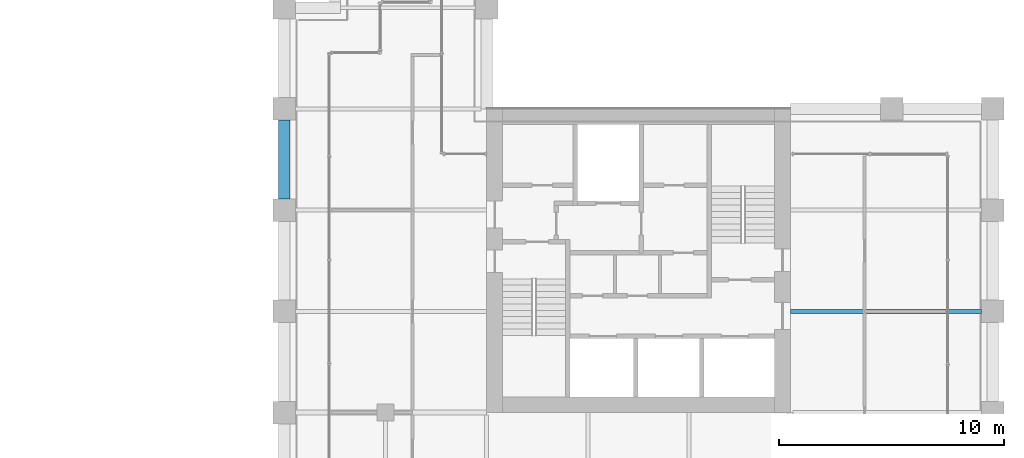
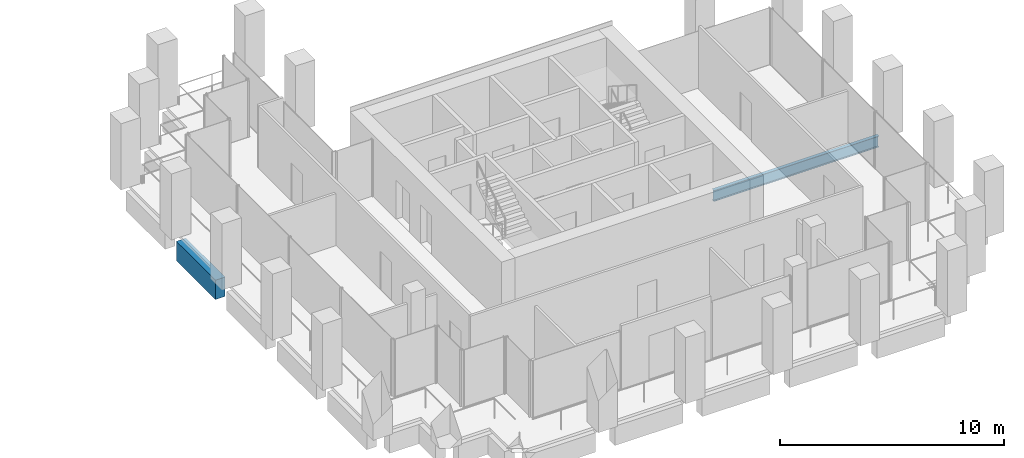
# One storey, part 33 of 46: 2 beams.
"""IFC4 building model written with IfcOpenShell, lengths in metres."""

from ifc_helpers import new_model, si_unit, direction, frame, origin, origin_2d, place, context, subcontext, project, spatial, rectangle, i_section, extrude, material, material_profile, profile_set, type_object, element, save


model = new_model("IFC4")

# Units and contexts
model_context = context("Model", 3, precision=1e-05, world=origin(), true_north=direction((0.0, 1.0)))
body_context = subcontext(model_context, "Body", "Model", "MODEL_VIEW")
ifc_project = project(units=[si_unit("LENGTHUNIT", "METRE"), si_unit("AREAUNIT", "SQUARE_METRE"), si_unit("VOLUMEUNIT", "CUBIC_METRE"), si_unit("PLANEANGLEUNIT", "RADIAN"), si_unit("MASSUNIT", "GRAM", prefix="KILO")], contexts=[model_context])

# Site, building, storey
site_placement = place(None, origin())
site = spatial("IfcSite", under=ifc_project, at=site_placement, CompositionType="ELEMENT")
building_placement = place(site_placement, origin())
building = spatial("IfcBuilding", under=site, at=building_placement, Name="Altepetl Exchange Towers", CompositionType="ELEMENT")
storey_placement = place(building_placement, frame((0.0, 0.0, 120.800048828125)))
storey = spatial("IfcBuildingStorey", under=building, at=storey_placement, Name="L29", CompositionType="ELEMENT", Elevation=120.800048828125)

# Beams
ifc_material_1 = material(Name="Steel S355", Category="steel")
ifc_material_profile_1 = material_profile(ifc_material_1, i_section(OverallWidth=0.177978515625, OverallDepth=0.59912109375, WebThickness=0.010009765625, FlangeThickness=0.0126953125, at=origin_2d()), Name="W24X55")
ifc_profile_set_1 = profile_set([ifc_material_profile_1], Name="Steel S355")
beam_type_1 = type_object("IfcBeamType", Name="Floor beam W24X55", PredefinedType="BEAM", material=ifc_profile_set_1)
beam_1_placement = place(storey_placement, frame((117.0, 40.5, -0.449462890625), z_axis=(1.0, 0.0, 0.0), x_axis=(0.0, 1.0, 0.0)))
element("IfcBeam", 1, at=beam_1_placement, inside=storey, type_object=beam_type_1, Name="bm:B:L29:002", PredefinedType="BEAM", context=body_context, shape_type="SweptSolid", body=[
    extrude(i_section(OverallWidth=0.177978515625, OverallDepth=0.59912109375, WebThickness=0.010009765625, FlangeThickness=0.0126953125, at=origin_2d()), origin(), (0.0, 0.0, 1.0), 8.5),
])
ifc_material_2 = material(Name="Concrete C50/60 precast with cantera rosa facing", Category="concrete")
ifc_material_profile_2 = material_profile(ifc_material_2, rectangle(XDim=0.5, YDim=1.050048828125, at=origin_2d()), Name="500 x 1050")
ifc_profile_set_2 = profile_set([ifc_material_profile_2], Name="Concrete C50/60 precast with cantera rosa facing")
beam_type_2 = type_object("IfcBeamType", Name="Spandrel beam 500x1050 cantera rosa", PredefinedType="SPANDREL", material=ifc_profile_set_2)
beam_2_placement = place(storey_placement, frame((94.5, 49.0, -0.675048828125), z_axis=(0.0, -1.0, 0.0), x_axis=(1.0, 0.0, 0.0)))
element("IfcBeam", 2, at=beam_2_placement, inside=storey, type_object=beam_type_2, Name="sp:B:L29:023", PredefinedType="SPANDREL", context=body_context, shape_type="SweptSolid", body=[
    extrude(rectangle(XDim=0.5, YDim=1.050048828125, at=origin_2d()), origin(), (0.0, 0.0, 1.0), 3.5),
])

save(model, "model.ifc")
